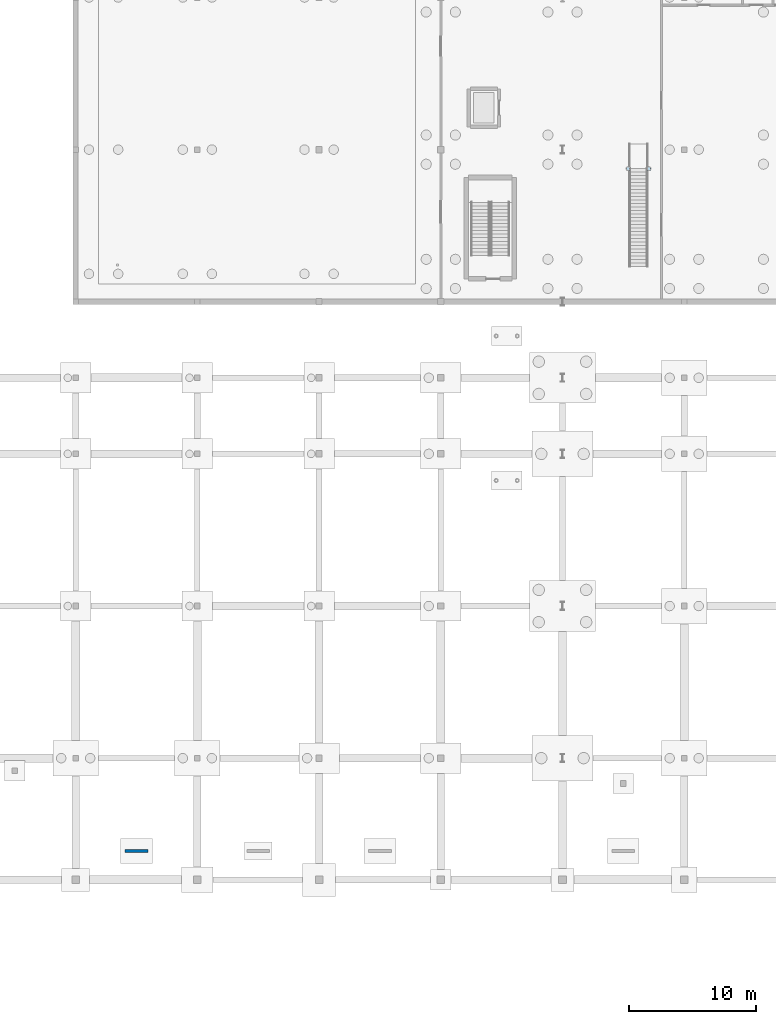
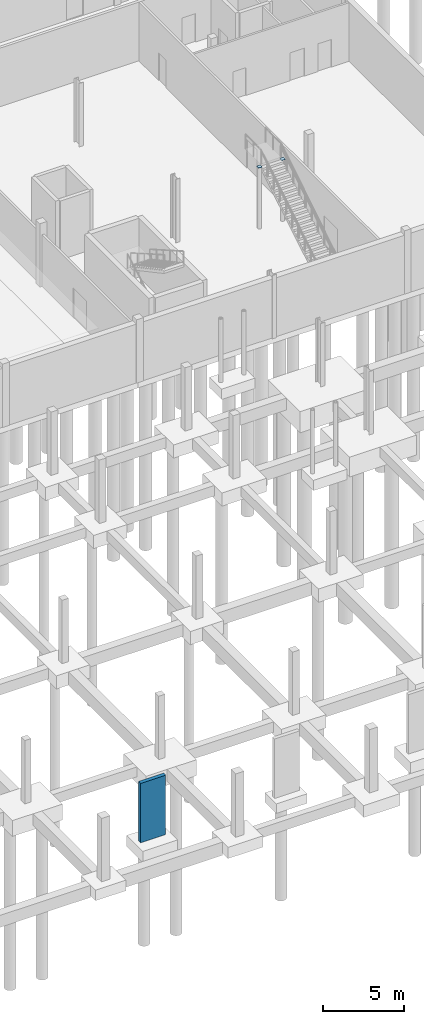
# One storey, part 21 of 31: 2 plates, 1 wall.
"""IFC4 building model written with IfcOpenShell, lengths in metres."""

from ifc_helpers import new_model, si_unit, direction, frame, frame_2d, origin, origin_2d, place, context, subcontext, project, spatial, rectangle, extrude, material, layer, layer_set, type_object, element, save


model = new_model("IFC4")

# Units and contexts
model_context = context("Model", 3, precision=1e-05, world=origin(), true_north=direction((0.0, 1.0)))
body_context = subcontext(model_context, "Body", "Model", "MODEL_VIEW")
ifc_project = project(units=[si_unit("LENGTHUNIT", "METRE"), si_unit("AREAUNIT", "SQUARE_METRE"), si_unit("VOLUMEUNIT", "CUBIC_METRE"), si_unit("PLANEANGLEUNIT", "RADIAN"), si_unit("MASSUNIT", "GRAM", prefix="KILO")], contexts=[model_context])

# Site, building, storey
site_placement = place(None, origin())
site = spatial("IfcSite", under=ifc_project, at=site_placement, CompositionType="ELEMENT")
building_placement = place(site_placement, origin())
building = spatial("IfcBuilding", under=site, at=building_placement, Name="Merenkruunu Market Hall", CompositionType="ELEMENT")
storey_placement = place(building_placement, frame((0.0, 0.0, -4.800048828125)))
storey = spatial("IfcBuildingStorey", under=building, at=storey_placement, Name="B1", CompositionType="ELEMENT", Elevation=-4.800048828125)

# Plates
ifc_material_1 = material(Name="Steel S355ML", Category="steel")
ifc_layer_1 = layer(ifc_material_1, 0.02001953125)
ifc_layer_set_1 = layer_set([ifc_layer_1], Name="Steel S355ML")
plate_type = type_object("IfcPlateType", Name="Truss Gusset Or Cap Plate CP04", PredefinedType="USERDEFINED", material=ifc_layer_set_1)
for number, where, z_axis, x_axis, name in (
    (1, (62.77001953125, 62.10009765625, 4.630126953125), (0.0, 0.0, 1.0), (1.0, 0.0, 0.0), "PLT-FST-CAP-1-1"),
    (2, (64.429931640625, 62.10009765625, 4.630126953125), (0.0, 0.0, 1.0), (1.0, 0.0, 0.0), "PLT-FST-CAP-1-2"),
):
    element("IfcPlate", number, at=place(storey_placement, frame(where, z_axis=z_axis, x_axis=x_axis)), inside=storey, type_object=plate_type, Name=name, ObjectType="GUSSET_PLATE", PredefinedType="USERDEFINED", context=body_context, shape_type="SweptSolid", body=[
        extrude(rectangle(XDim=0.260009765625, YDim=0.260009765625, at=origin_2d()), origin(), (0.0, 0.0, 1.0), 0.02001953125),
    ])

# Wall
ifc_material_2 = material(Name="Concrete C35/45", Category="concrete")
ifc_layer_2 = layer(ifc_material_2, 0.260009765625)
ifc_layer_set_2 = layer_set([ifc_layer_2], Name="Concrete C35/45")
wall_type = type_object("IfcWallType", Name="Structural Shear Wall SW03", PredefinedType="SHEAR", material=ifc_layer_set_2)
wall_placement = place(storey_placement, frame((23.10009765625, 8.27001953125, 0.0), z_axis=(0.0, 0.0, 1.0), x_axis=(1.0, 0.0, 0.0)))
element("IfcWall", 3, at=wall_placement, inside=storey, type_object=wall_type, Name="WALL-RMPABUT-01", PredefinedType="SHEAR", context=body_context, shape_type="SweptSolid", body=[
    extrude(rectangle(XDim=1.7998046875, YDim=0.260009765625, at=frame_2d((0.89990234375, 0.0))), origin(), (0.0, 0.0, 1.0), 4.5),
])

save(model, "model.ifc")
